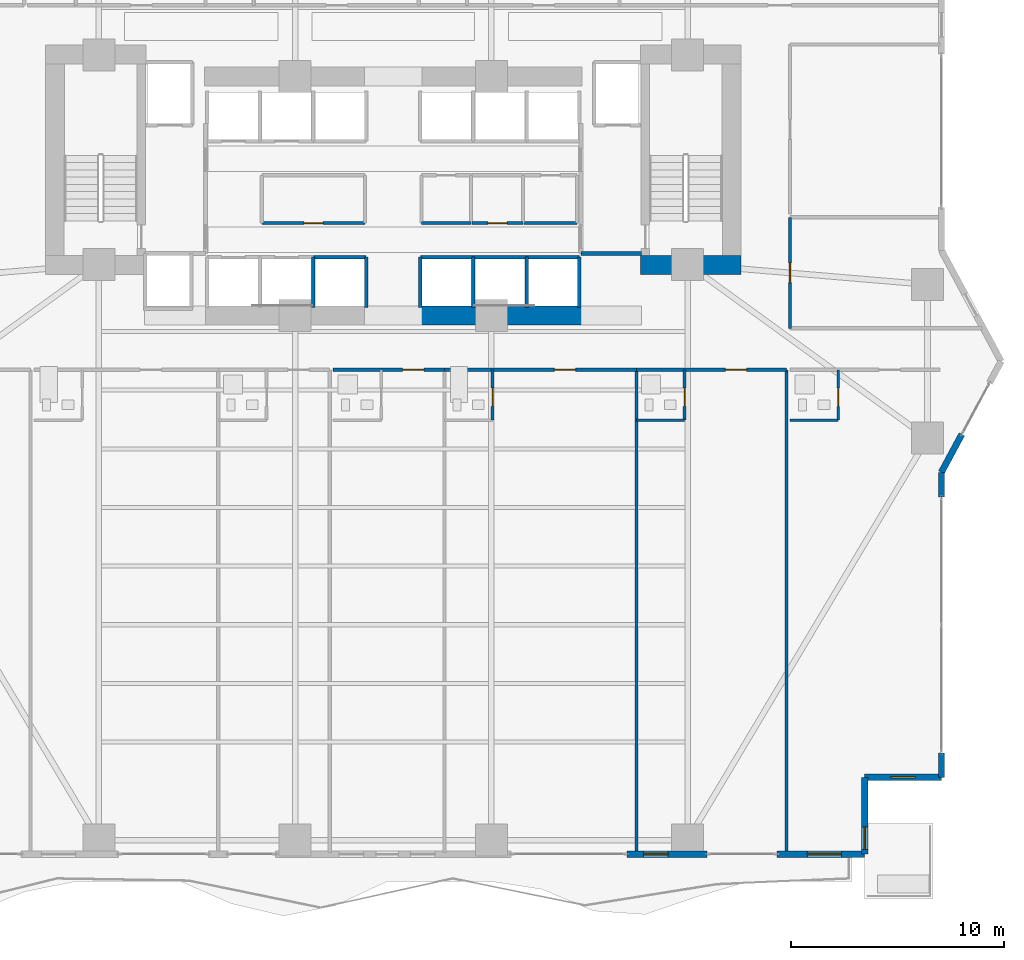
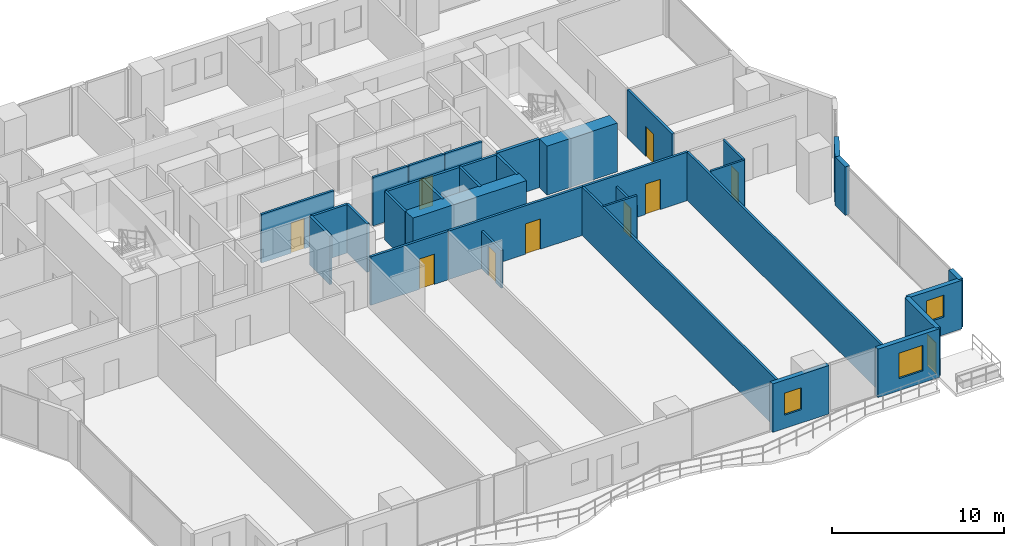
# One storey, part 19 of 29: 35 walls, 10 doors, 3 windows, 13 openings.
"""IFC4 building model written with IfcOpenShell, lengths in metres."""

from ifc_helpers import new_model, si_unit, direction, frame, frame_2d, origin, place, context, subcontext, project, spatial, rectangle, extrude, material, layer, layer_set, type_object, element, fill, save


model = new_model("IFC4")

# Units and contexts
model_context = context("Model", 3, precision=1e-05, world=origin(), true_north=direction((0.0, 1.0)))
body_context = subcontext(model_context, "Body", "Model", "MODEL_VIEW")
ifc_project = project(units=[si_unit("LENGTHUNIT", "METRE"), si_unit("AREAUNIT", "SQUARE_METRE"), si_unit("VOLUMEUNIT", "CUBIC_METRE"), si_unit("PLANEANGLEUNIT", "RADIAN"), si_unit("MASSUNIT", "GRAM", prefix="KILO")], contexts=[model_context])

# Site, building, storey
site_placement = place(None, origin())
site = spatial("IfcSite", under=ifc_project, at=site_placement, CompositionType="ELEMENT")
building_placement = place(site_placement, origin())
building = spatial("IfcBuilding", under=site, at=building_placement, Name="Zuhayl Quay Hotel", CompositionType="ELEMENT")
storey_placement = place(building_placement, frame((0.0, 0.0, 38.550048828125)))
storey = spatial("IfcBuildingStorey", under=building, at=storey_placement, Name="L08", CompositionType="ELEMENT", Elevation=38.550048828125)

# Walls
ifc_material_1 = material(Name="Concrete C70/85", Category="concrete")
ifc_layer_1 = layer(ifc_material_1, 0.89990234375, Name="Concrete C70/85", Category="concrete")
ifc_layer_set_1 = layer_set([ifc_layer_1], Name="Concrete C70/85")
wall_type_1 = type_object("IfcWallType", Name="WL_CORE_900", PredefinedType="SHEAR", material=ifc_layer_set_1)
wall_1_placement = place(storey_placement, frame((11.60009765625, 4.52001953125, 0.0), z_axis=(0.0, 0.0, 1.0), x_axis=(1.0, 0.0, 0.0)))
element("IfcWall", 1, at=wall_1_placement, inside=storey, type_object=wall_type_1, Name="L08 Core Shear Wall CW_SE", PredefinedType="SHEAR", context=body_context, shape_type="SweptSolid", body=[
    extrude(rectangle(XDim=4.7099609375, YDim=0.89990234375, at=frame_2d((2.35498046875, 0.0))), origin(), (0.0, 0.0, 1.0), 3.4599609375),
])
wall_2_placement = place(storey_placement, frame((1.25, 2.14990234375, 0.0), z_axis=(0.0, 0.0, 1.0), x_axis=(1.0, 0.0, 0.0)))
element("IfcWall", 2, at=wall_2_placement, inside=storey, type_object=wall_type_1, Name="L08 Core Shear Wall CW_SC_E", PredefinedType="SHEAR", context=body_context, shape_type="SweptSolid", body=[
    extrude(rectangle(XDim=7.60009765625, YDim=0.89990234375, at=frame_2d((3.800048828125, 0.0))), origin(), (0.0, 0.0, 1.0), 3.429931640625),
])
ifc_material_2 = material(Name="Precast concrete C45/55", Category="concrete")
ifc_layer_2 = layer(ifc_material_2, 0.300048828125, Name="Precast concrete C45/55", Category="concrete")
ifc_layer_set_2 = layer_set([ifc_layer_2], Name="Precast concrete C45/55")
wall_type_2 = type_object("IfcWallType", Name="WL_EXT_300", PredefinedType="STANDARD", material=ifc_layer_set_2)
wall_3_placement = place(storey_placement, frame((26.657958984375, -3.4208984375, 0.0), z_axis=(0.0, 0.0, 1.0), x_axis=(-0.474121438562, -0.88045946045, 0.0)))
element("IfcWall", 3, at=wall_3_placement, inside=storey, type_object=wall_type_2, Name="L08 Exterior Precast Wall ENV_L08_E13_EW2", PredefinedType="STANDARD", context=body_context, shape_type="SweptSolid", body=[
    extrude(rectangle(XDim=2.0205078125, YDim=0.300048828125, at=frame_2d((1.01025390625, 0.0))), origin(), (0.0, 0.0, 1.0), 3.429931640625),
])
wall_4_placement = place(storey_placement, frame((25.699951171875, -5.199951171875, 0.0), z_axis=(0.0, 0.0, 1.0), x_axis=(0.0, -1.0, 0.0)))
element("IfcWall", 4, at=wall_4_placement, inside=storey, type_object=wall_type_2, Name="L08 Exterior Precast Wall ENV_L08_E14_EW1", PredefinedType="STANDARD", context=body_context, shape_type="SweptSolid", body=[
    extrude(rectangle(XDim=1.150146484375, YDim=0.300048828125, at=frame_2d((0.5751953125, 0.0))), origin(), (0.0, 0.0, 1.0), 3.429931640625),
])
wall_5_placement = place(storey_placement, frame((25.699951171875, -18.35009765625, 0.0), z_axis=(0.0, 0.0, 1.0), x_axis=(0.0, -1.0, 0.0)))
element("IfcWall", 5, at=wall_5_placement, inside=storey, type_object=wall_type_2, Name="L08 Exterior Precast Wall ENV_L08_E14_EW2", PredefinedType="STANDARD", context=body_context, shape_type="SweptSolid", body=[
    extrude(rectangle(XDim=1.14990234375, YDim=0.300048828125, at=frame_2d((0.574951171875, 0.0))), origin(), (0.0, 0.0, 1.0), 3.429931640625),
])

# Wall, opening, window
wall_6_placement = place(storey_placement, frame((25.699951171875, -19.5, 0.0), z_axis=(0.0, 0.0, 1.0), x_axis=(-1.0, 0.0, 0.0)))
wall_6 = element("IfcWall", 6, at=wall_6_placement, inside=storey, type_object=wall_type_2, Name="L08 Exterior Precast Wall ENV_L08_EW15", PredefinedType="STANDARD", context=body_context, shape_type="SweptSolid", body=[
    extrude(rectangle(XDim=3.599853515625, YDim=0.300048828125, at=frame_2d((1.7998046875, 0.0))), origin(), (0.0, 0.0, 1.0), 3.429931640625),
])
opening_1_placement = place(wall_6_placement, frame((1.22509765625, 0.0, 1.25)))
opening_1 = element("IfcOpeningElement", 7, at=opening_1_placement, cuts=wall_6, Name="Opening W01N", PredefinedType="OPENING", context=body_context, shape_type="SweptSolid", body=[
    extrude(rectangle(XDim=1.14990234375, YDim=1.550048828125, at=frame_2d((0.574951171875, 0.77490234375))), frame((0.0, 0.159912109375, 0.0), z_axis=(0.0, -1.0, 0.0), x_axis=(1.0, 0.0, 0.0)), (0.0, 0.0, 1.0), 0.320068359375),
])
ifc_material_3 = material(Name="Dark Ceramic-Fritted Solar Glass", Category="glass")
window_type_1 = type_object("IfcWindowType", Name="WN_NOTCH_1350", PartitioningType="SINGLE_PANEL", PredefinedType="WINDOW", material=ifc_material_3)
window_1_placement = place(opening_1_placement, origin())
window_1 = element("IfcWindow", 8, at=window_1_placement, inside=storey, type_object=window_type_1, Name="L08 Corner Notch Window 15", OverallHeight=1.550048828125, OverallWidth=1.14990234375, PartitioningType="SINGLE_PANEL", PredefinedType="WINDOW", context=body_context, shape_type="SweptSolid", body=[
    extrude(rectangle(XDim=1.14990234375, YDim=1.550048828125, at=frame_2d((0.574951171875, 0.77490234375))), frame((0.0, 0.030029296875, 0.0), z_axis=(0.0, -1.0, 0.0), x_axis=(1.0, 0.0, 0.0)), (0.0, 0.0, 1.0), 0.06005859375),
])
fill(opening_1, window_1)

# Wall, opening, door
wall_7_placement = place(storey_placement, frame((22.10009765625, -19.5, 0.0), z_axis=(0.0, 0.0, 1.0), x_axis=(0.0, -1.0, 0.0)))
wall_7 = element("IfcWall", 9, at=wall_7_placement, inside=storey, type_object=wall_type_2, Name="L08 Exterior Precast Wall ENV_L08_SP_SE", PredefinedType="STANDARD", context=body_context, shape_type="SweptSolid", body=[
    extrude(rectangle(XDim=3.60009765625, YDim=0.300048828125, at=frame_2d((1.800048828125, 0.0))), origin(), (0.0, 0.0, 1.0), 3.429931640625),
])
opening_2_placement = place(wall_7_placement, frame((2.330078125, 0.0, 0.0)))
opening_2 = element("IfcOpeningElement", 10, at=opening_2_placement, cuts=wall_7, Name="Opening DG1", PredefinedType="OPENING", context=body_context, shape_type="SweptSolid", body=[
    extrude(rectangle(XDim=1.050048828125, YDim=2.199951171875, at=frame_2d((0.52490234375, 1.10009765625))), frame((0.0, 0.159912109375, 0.0), z_axis=(0.0, -1.0, 0.0), x_axis=(1.0, 0.0, 0.0)), (0.0, 0.0, 1.0), 0.320068359375),
])
ifc_material_4 = material(Name="Anodised Aluminium and Dark Solar Glass", Category="aluminium")
door_type_1 = type_object("IfcDoorType", Name="DR_EXT_TERR_1050", OperationType="NOTDEFINED", PredefinedType="DOOR", material=ifc_material_4)
door_1_placement = place(opening_2_placement, origin())
door_1 = element("IfcDoor", 11, at=door_1_placement, inside=storey, type_object=door_type_1, Name="L08 Spiral Sky-Terrace SE Access Door", OperationType="SINGLE_SWING_LEFT", OverallHeight=2.199951171875, OverallWidth=1.050048828125, PredefinedType="DOOR", context=body_context, shape_type="SweptSolid", body=[
    extrude(rectangle(XDim=1.050048828125, YDim=2.199951171875, at=frame_2d((0.52490234375, 1.10009765625))), frame((0.0, 0.02490234375, 0.0), z_axis=(0.0, -1.0, 0.0), x_axis=(1.0, 0.0, 0.0)), (0.0, 0.0, 1.0), 0.050048828125),
])
fill(opening_2, door_1)

# Wall, opening, window
wall_8_placement = place(storey_placement, frame((22.10009765625, -23.10009765625, 0.0), z_axis=(0.0, 0.0, 1.0), x_axis=(-1.0, 0.0, 0.0)))
wall_8 = element("IfcWall", 12, at=wall_8_placement, inside=storey, type_object=wall_type_2, Name="L08 Exterior Precast Wall ENV_L08_S_EW1", PredefinedType="STANDARD", context=body_context, shape_type="SweptSolid", body=[
    extrude(rectangle(XDim=4.110107421875, YDim=0.300048828125, at=frame_2d((2.05517578125, 0.0))), origin(), (0.0, 0.0, 1.0), 3.429931640625),
])
opening_3_placement = place(wall_8_placement, frame((1.090087890625, 0.0, 0.85009765625)))
opening_3 = element("IfcOpeningElement", 13, at=opening_3_placement, cuts=wall_8, Name="Opening W01", PredefinedType="OPENING", context=body_context, shape_type="SweptSolid", body=[
    extrude(rectangle(XDim=1.60009765625, YDim=1.800048828125, at=frame_2d((0.800048828125, 0.89990234375))), frame((0.0, 0.159912109375, 0.0), z_axis=(0.0, -1.0, 0.0), x_axis=(1.0, 0.0, 0.0)), (0.0, 0.0, 1.0), 0.320068359375),
])
window_type_2 = type_object("IfcWindowType", Name="WN_OPERABLE_1600", PartitioningType="DOUBLE_PANEL_VERTICAL", PredefinedType="WINDOW", material=ifc_material_3)
window_2_placement = place(opening_3_placement, origin())
window_2 = element("IfcWindow", 14, at=window_2_placement, inside=storey, type_object=window_type_2, Name="L08 Operable Facade Window 1-1", OverallHeight=1.800048828125, OverallWidth=1.60009765625, PartitioningType="SINGLE_PANEL", PredefinedType="WINDOW", context=body_context, shape_type="SweptSolid", body=[
    extrude(rectangle(XDim=1.60009765625, YDim=1.800048828125, at=frame_2d((0.800048828125, 0.89990234375))), frame((0.0, 0.030029296875, 0.0), z_axis=(0.0, -1.0, 0.0), x_axis=(1.0, 0.0, 0.0)), (0.0, 0.0, 1.0), 0.06005859375),
])
fill(opening_3, window_2)

wall_9_placement = place(storey_placement, frame((14.719970703125, -23.10009765625, 0.0), z_axis=(0.0, 0.0, 1.0), x_axis=(-1.0, 0.0, 0.0)))
wall_9 = element("IfcWall", 15, at=wall_9_placement, inside=storey, type_object=wall_type_2, Name="L08 Exterior Precast Wall ENV_L08_S_EW2", PredefinedType="STANDARD", context=body_context, shape_type="SweptSolid", body=[
    extrude(rectangle(XDim=3.77001953125, YDim=0.300048828125, at=frame_2d((1.885009765625, 0.0))), origin(), (0.0, 0.0, 1.0), 3.429931640625),
])
opening_4_placement = place(wall_9_placement, frame((1.8349609375, 0.0, 0.949951171875)))
opening_4 = element("IfcOpeningElement", 16, at=opening_4_placement, cuts=wall_9, Name="Opening W01N", PredefinedType="OPENING", context=body_context, shape_type="SweptSolid", body=[
    extrude(rectangle(XDim=1.14990234375, YDim=1.550048828125, at=frame_2d((0.574951171875, 0.77490234375))), frame((0.0, 0.159912109375, 0.0), z_axis=(0.0, -1.0, 0.0), x_axis=(1.0, 0.0, 0.0)), (0.0, 0.0, 1.0), 0.320068359375),
])
window_3_placement = place(opening_4_placement, origin())
window_3 = element("IfcWindow", 17, at=window_3_placement, inside=storey, type_object=window_type_1, Name="L08 Operable Facade Window 2-1", OverallHeight=1.550048828125, OverallWidth=1.14990234375, PartitioningType="SINGLE_PANEL", PredefinedType="WINDOW", context=body_context, shape_type="SweptSolid", body=[
    extrude(rectangle(XDim=1.14990234375, YDim=1.550048828125, at=frame_2d((0.574951171875, 0.77490234375))), frame((0.0, 0.030029296875, 0.0), z_axis=(0.0, -1.0, 0.0), x_axis=(1.0, 0.0, 0.0)), (0.0, 0.0, 1.0), 0.06005859375),
])
fill(opening_4, window_3)

# Wall, opening, door
ifc_material_5 = material(Name="Acoustic Gypsum Partition STC-58")
ifc_layer_3 = layer(ifc_material_5, 0.14990234375, Name="Acoustic Gypsum Partition STC-58")
ifc_layer_set_3 = layer_set([ifc_layer_3], Name="Acoustic Gypsum Partition STC-58")
wall_type_3 = type_object("IfcWallType", Name="WL_PART_150", PredefinedType="PARTITIONING", material=ifc_layer_set_3)
wall_10_placement = place(storey_placement, frame((-6.159912109375, 6.47998046875, 0.0), z_axis=(0.0, 0.0, 1.0), x_axis=(1.0, 0.0, 0.0)))
wall_10 = element("IfcWall", 18, at=wall_10_placement, inside=storey, type_object=wall_type_3, Name="L08 Partition IW_L08_CORE_SV_S", PredefinedType="PARTITIONING", context=body_context, shape_type="SweptSolid", body=[
    extrude(rectangle(XDim=4.83984375, YDim=0.14990234375, at=frame_2d((2.419921875, 0.0))), origin(), (0.0, 0.0, 1.0), 3.429931640625),
])
opening_5_placement = place(wall_10_placement, frame((1.969970703125, 0.0, 0.0)))
opening_5 = element("IfcOpeningElement", 19, at=opening_5_placement, cuts=wall_10, Name="Opening D06", PredefinedType="OPENING", context=body_context, shape_type="SweptSolid", body=[
    extrude(rectangle(XDim=0.89990234375, YDim=2.14990234375, at=frame_2d((0.449951171875, 1.074951171875))), frame((0.0, 0.0849609375, 0.0), z_axis=(0.0, -1.0, 0.0), x_axis=(1.0, 0.0, 0.0)), (0.0, 0.0, 1.0), 0.169921875),
])
ifc_material_6 = material(Name="Steel ASTM A992 Grade 50", Category="steel")
door_type_2 = type_object("IfcDoorType", Name="DR_INT_900", OperationType="NOTDEFINED", PredefinedType="DOOR", material=ifc_material_6)
door_2_placement = place(opening_5_placement, origin())
door_2 = element("IfcDoor", 20, at=door_2_placement, inside=storey, type_object=door_type_2, Name="L08 Core Ice and Linen Store Door", OperationType="SINGLE_SWING_RIGHT", OverallHeight=2.14990234375, OverallWidth=0.89990234375, PredefinedType="DOOR", context=body_context, shape_type="SweptSolid", body=[
    extrude(rectangle(XDim=0.89990234375, YDim=2.14990234375, at=frame_2d((0.449951171875, 1.074951171875))), frame((0.0, 0.02490234375, 0.0), z_axis=(0.0, -1.0, 0.0), x_axis=(1.0, 0.0, 0.0)), (0.0, 0.0, 1.0), 0.050048828125),
])
fill(opening_5, door_2)

wall_11_placement = place(storey_placement, frame((3.699951171875, 6.47998046875, 0.0), z_axis=(0.0, 0.0, 1.0), x_axis=(1.0, 0.0, 0.0)))
wall_11 = element("IfcWall", 21, at=wall_11_placement, inside=storey, type_object=wall_type_3, Name="L08 Partition IW_L08_CORE_E2_S", PredefinedType="PARTITIONING", context=body_context, shape_type="SweptSolid", body=[
    extrude(rectangle(XDim=2.380126953125, YDim=0.14990234375, at=frame_2d((1.18994140625, 0.0))), origin(), (0.0, 0.0, 1.0), 3.429931640625),
])
opening_6_placement = place(wall_11_placement, frame((0.739990234375, 0.0, 0.0)))
opening_6 = element("IfcOpeningElement", 22, at=opening_6_placement, cuts=wall_11, Name="Opening D06", PredefinedType="OPENING", context=body_context, shape_type="SweptSolid", body=[
    extrude(rectangle(XDim=0.89990234375, YDim=2.14990234375, at=frame_2d((0.449951171875, 1.074951171875))), frame((0.0, 0.0849609375, 0.0), z_axis=(0.0, -1.0, 0.0), x_axis=(1.0, 0.0, 0.0)), (0.0, 0.0, 1.0), 0.169921875),
])
door_3_placement = place(opening_6_placement, origin())
door_3 = element("IfcDoor", 23, at=door_3_placement, inside=storey, type_object=door_type_2, Name="L08 Data Closet Door", OperationType="SINGLE_SWING_RIGHT", OverallHeight=2.14990234375, OverallWidth=0.89990234375, PredefinedType="DOOR", context=body_context, shape_type="SweptSolid", body=[
    extrude(rectangle(XDim=0.89990234375, YDim=2.14990234375, at=frame_2d((0.449951171875, 1.074951171875))), frame((0.0, 0.02490234375, 0.0), z_axis=(0.0, -1.0, 0.0), x_axis=(1.0, 0.0, 0.0)), (0.0, 0.0, 1.0), 0.050048828125),
])
fill(opening_6, door_3)

# Walls
wall_12_placement = place(storey_placement, frame((1.320068359375, 6.47998046875, 0.0), z_axis=(0.0, 0.0, 1.0), x_axis=(1.0, 0.0, 0.0)))
element("IfcWall", 24, at=wall_12_placement, inside=storey, type_object=wall_type_3, Name="L08 Partition IW_L08_CORE_E1_S", PredefinedType="PARTITIONING", context=body_context, shape_type="SweptSolid", body=[
    extrude(rectangle(XDim=2.31982421875, YDim=0.14990234375, at=frame_2d((1.159912109375, 0.0))), origin(), (0.0, 0.0, 1.0), 3.429931640625),
])
wall_13_placement = place(storey_placement, frame((6.139892578125, 6.47998046875, 0.0), z_axis=(0.0, 0.0, 1.0), x_axis=(1.0, 0.0, 0.0)))
element("IfcWall", 25, at=wall_13_placement, inside=storey, type_object=wall_type_3, Name="L08 Partition IW_L08_CORE_E3_S", PredefinedType="PARTITIONING", context=body_context, shape_type="SweptSolid", body=[
    extrude(rectangle(XDim=2.47021484375, YDim=0.14990234375, at=frame_2d((1.235107421875, 0.0))), origin(), (0.0, 0.0, 1.0), 3.429931640625),
])
for number, where, z_axis, x_axis, name in (
    (26, (11.39990234375, -23.02001953125, 0.0), (0.0, 0.0, 1.0), (0.0, 1.0, 0.0), "L08 Partition IW_L08_SU03_E"),
    (27, (18.43994140625, -23.02001953125, 0.0), (0.0, 0.0, 1.0), (0.0, 1.0, 0.0), "L08 Partition IW_L08_SU04A_E"),
):
    element("IfcWall", number, at=place(storey_placement, frame(where, z_axis=z_axis, x_axis=x_axis)), inside=storey, type_object=wall_type_3, Name=name, PredefinedType="PARTITIONING", context=body_context, shape_type="SweptSolid", body=[
        extrude(rectangle(XDim=22.6201171875, YDim=0.14990234375, at=frame_2d((11.31005859375, 0.0))), origin(), (0.0, 0.0, 1.0), 3.429931640625),
    ])

# Wall, opening, door
ifc_layer_4 = layer(ifc_material_5, 0.159912109375, Name="Acoustic Gypsum Partition STC-58")
ifc_layer_set_4 = layer_set([ifc_layer_4], Name="Acoustic Gypsum Partition STC-58")
wall_type_4 = type_object("IfcWallType", Name="WL_PART_CORR_160", PredefinedType="PARTITIONING", material=ifc_layer_set_4)
wall_14_placement = place(storey_placement, frame((-2.820068359375, -0.39990234375, 0.0), z_axis=(0.0, 0.0, 1.0), x_axis=(1.0, 0.0, 0.0)))
wall_14 = element("IfcWall", 28, at=wall_14_placement, inside=storey, type_object=wall_type_4, Name="L08 Partition IW_L08_SU02B_COR", PredefinedType="PARTITIONING", context=body_context, shape_type="SweptSolid", body=[
    extrude(rectangle(XDim=5.219970703125, YDim=0.159912109375, at=frame_2d((2.60986328125, 0.0))), origin(), (0.0, 0.0, 1.0), 3.429931640625),
])
opening_7_placement = place(wall_14_placement, frame((3.260009765625, 0.0, 0.0)))
opening_7 = element("IfcOpeningElement", 29, at=opening_7_placement, cuts=wall_14, Name="Opening D03L", PredefinedType="OPENING", context=body_context, shape_type="SweptSolid", body=[
    extrude(rectangle(XDim=1.0, YDim=2.14990234375, at=frame_2d((0.5, 1.074951171875))), frame((0.0, 0.08984375, 0.0), z_axis=(0.0, -1.0, 0.0), x_axis=(1.0, 0.0, 0.0)), (0.0, 0.0, 1.0), 0.179931640625),
])
ifc_material_7 = material(Name="Solid Walnut Acoustic Fire Door")
door_type_3 = type_object("IfcDoorType", Name="DR_SUITE_1000", OperationType="NOTDEFINED", PredefinedType="DOOR", material=ifc_material_7)
door_4_placement = place(opening_7_placement, origin())
door_4 = element("IfcDoor", 30, at=door_4_placement, inside=storey, type_object=door_type_3, Name="L08 City-View Junior Suite L08-02B Entrance Door", OperationType="SINGLE_SWING_RIGHT", OverallHeight=2.14990234375, OverallWidth=1.0, PredefinedType="DOOR", context=body_context, shape_type="SweptSolid", body=[
    extrude(rectangle(XDim=1.0, YDim=2.14990234375, at=frame_2d((0.5, 1.074951171875))), frame((0.0, 0.02490234375, 0.0), z_axis=(0.0, -1.0, 0.0), x_axis=(1.0, 0.0, 0.0)), (0.0, 0.0, 1.0), 0.050048828125),
])
fill(opening_7, door_4)

wall_15_placement = place(storey_placement, frame((2.39990234375, -0.39990234375, 0.0), z_axis=(0.0, 0.0, 1.0), x_axis=(1.0, 0.0, 0.0)))
wall_15 = element("IfcWall", 31, at=wall_15_placement, inside=storey, type_object=wall_type_4, Name="L08 Partition IW_L08_SU03_COR", PredefinedType="PARTITIONING", context=body_context, shape_type="SweptSolid", body=[
    extrude(rectangle(XDim=9.0, YDim=0.159912109375, at=frame_2d((4.5, 0.0))), origin(), (0.0, 0.0, 1.0), 3.429931640625),
])
opening_8_placement = place(wall_15_placement, frame((5.14990234375, 0.0, 0.0)))
opening_8 = element("IfcOpeningElement", 32, at=opening_8_placement, cuts=wall_15, Name="Opening D03L", PredefinedType="OPENING", context=body_context, shape_type="SweptSolid", body=[
    extrude(rectangle(XDim=1.0, YDim=2.14990234375, at=frame_2d((0.5, 1.074951171875))), frame((0.0, 0.08984375, 0.0), z_axis=(0.0, -1.0, 0.0), x_axis=(1.0, 0.0, 0.0)), (0.0, 0.0, 1.0), 0.179931640625),
])
door_5_placement = place(opening_8_placement, origin())
door_5 = element("IfcDoor", 33, at=door_5_placement, inside=storey, type_object=door_type_3, Name="L08 City-View Junior Suite L08-03 Entrance Door", OperationType="SINGLE_SWING_RIGHT", OverallHeight=2.14990234375, OverallWidth=1.0, PredefinedType="DOOR", context=body_context, shape_type="SweptSolid", body=[
    extrude(rectangle(XDim=1.0, YDim=2.14990234375, at=frame_2d((0.5, 1.074951171875))), frame((0.0, 0.02490234375, 0.0), z_axis=(0.0, -1.0, 0.0), x_axis=(1.0, 0.0, 0.0)), (0.0, 0.0, 1.0), 0.050048828125),
])
fill(opening_8, door_5)

wall_16_placement = place(storey_placement, frame((11.39990234375, -0.39990234375, 0.0), z_axis=(0.0, 0.0, 1.0), x_axis=(1.0, 0.0, 0.0)))
wall_16 = element("IfcWall", 34, at=wall_16_placement, inside=storey, type_object=wall_type_4, Name="L08 Partition IW_L08_SU04A_COR", PredefinedType="PARTITIONING", context=body_context, shape_type="SweptSolid", body=[
    extrude(rectangle(XDim=7.0400390625, YDim=0.159912109375, at=frame_2d((3.52001953125, 0.0))), origin(), (0.0, 0.0, 1.0), 3.429931640625),
])
opening_9_placement = place(wall_16_placement, frame((4.169921875, 0.0, 0.0)))
opening_9 = element("IfcOpeningElement", 35, at=opening_9_placement, cuts=wall_16, Name="Opening D03L", PredefinedType="OPENING", context=body_context, shape_type="SweptSolid", body=[
    extrude(rectangle(XDim=1.0, YDim=2.14990234375, at=frame_2d((0.5, 1.074951171875))), frame((0.0, 0.08984375, 0.0), z_axis=(0.0, -1.0, 0.0), x_axis=(1.0, 0.0, 0.0)), (0.0, 0.0, 1.0), 0.179931640625),
])
door_6_placement = place(opening_9_placement, origin())
door_6 = element("IfcDoor", 36, at=door_6_placement, inside=storey, type_object=door_type_3, Name="L08 City-View Junior Suite L08-04A Entrance Door", OperationType="SINGLE_SWING_RIGHT", OverallHeight=2.14990234375, OverallWidth=1.0, PredefinedType="DOOR", context=body_context, shape_type="SweptSolid", body=[
    extrude(rectangle(XDim=1.0, YDim=2.14990234375, at=frame_2d((0.5, 1.074951171875))), frame((0.0, 0.02490234375, 0.0), z_axis=(0.0, -1.0, 0.0), x_axis=(1.0, 0.0, 0.0)), (0.0, 0.0, 1.0), 0.050048828125),
])
fill(opening_9, door_6)

wall_17_placement = place(storey_placement, frame((18.60009765625, 1.550048828125, 0.0), z_axis=(0.0, 0.0, 1.0), x_axis=(0.0, 1.0, 0.0)))
wall_17 = element("IfcWall", 37, at=wall_17_placement, inside=storey, type_object=wall_type_4, Name="L08 Partition IW_L08_HK_MAIN_W", PredefinedType="PARTITIONING", context=body_context, shape_type="SweptSolid", body=[
    extrude(rectangle(XDim=5.199951171875, YDim=0.159912109375, at=frame_2d((2.60009765625, 0.0))), origin(), (0.0, 0.0, 1.0), 3.429931640625),
])
opening_10_placement = place(wall_17_placement, frame((2.139892578125, 0.0, 0.0)))
opening_10 = element("IfcOpeningElement", 38, at=opening_10_placement, cuts=wall_17, Name="Opening D05", PredefinedType="OPENING", context=body_context, shape_type="SweptSolid", body=[
    extrude(rectangle(XDim=0.919921875, YDim=2.1201171875, at=frame_2d((0.4599609375, 1.06005859375))), frame((0.0, 0.08984375, 0.0), z_axis=(0.0, -1.0, 0.0), x_axis=(1.0, 0.0, 0.0)), (0.0, 0.0, 1.0), 0.179931640625),
])
door_type_4 = type_object("IfcDoorType", Name="DR_INT_950", OperationType="NOTDEFINED", PredefinedType="DOOR", material=ifc_material_7)
door_7_placement = place(opening_10_placement, origin())
door_7 = element("IfcDoor", 39, at=door_7_placement, inside=storey, type_object=door_type_4, Name="L08 Housekeeping and Linen Room Door", OperationType="SINGLE_SWING_LEFT", OverallHeight=2.1201171875, OverallWidth=0.919921875, PredefinedType="DOOR", context=body_context, shape_type="SweptSolid", body=[
    extrude(rectangle(XDim=0.919921875, YDim=2.1201171875, at=frame_2d((0.4599609375, 1.06005859375))), frame((0.0, 0.02490234375, 0.0), z_axis=(0.0, -1.0, 0.0), x_axis=(1.0, 0.0, 0.0)), (0.0, 0.0, 1.0), 0.050048828125),
])
fill(opening_10, door_7)

ifc_material_8 = material(Name="Moisture-Resistant Sanitarychase Gypsum")
ifc_layer_5 = layer(ifc_material_8, 0.135009765625, Name="Moisture-Resistant Sanitarychase Gypsum")
ifc_layer_set_5 = layer_set([ifc_layer_5], Name="Moisture-Resistant Sanitarychase Gypsum")
wall_type_5 = type_object("IfcWallType", Name="WL_PART_PLUMB_150", PredefinedType="PLUMBINGWALL", material=ifc_layer_set_5)
wall_18_placement = place(storey_placement, frame((4.659912109375, -2.760009765625, 0.0), z_axis=(0.0, 0.0, 1.0), x_axis=(0.0, 1.0, 0.0)))
wall_18 = element("IfcWall", 40, at=wall_18_placement, inside=storey, type_object=wall_type_5, Name="L08 Partition IW_L08_SU03_BE", PredefinedType="PLUMBINGWALL", context=body_context, shape_type="SweptSolid", body=[
    extrude(rectangle(XDim=2.360107421875, YDim=0.135009765625, at=frame_2d((1.18017578125, 0.0))), origin(), (0.0, 0.0, 1.0), 2.66796875),
])
opening_11_placement = place(wall_18_placement, frame((0.64990234375, 0.0, 0.0)))
opening_11 = element("IfcOpeningElement", 41, at=opening_11_placement, cuts=wall_18, Name="Opening D04", PredefinedType="OPENING", context=body_context, shape_type="SweptSolid", body=[
    extrude(rectangle(XDim=0.85009765625, YDim=2.10009765625, at=frame_2d((0.425048828125, 1.050048828125))), frame((0.0, 0.077392578125, 0.0), z_axis=(0.0, -1.0, 0.0), x_axis=(1.0, 0.0, 0.0)), (0.0, 0.0, 1.0), 0.155029296875),
])
ifc_material_9 = material(Name="Moisture-Resistant Walnut Veneer")
door_type_5 = type_object("IfcDoorType", Name="DR_BATH_850", OperationType="NOTDEFINED", PredefinedType="DOOR", material=ifc_material_9)
door_8_placement = place(opening_11_placement, origin())
door_8 = element("IfcDoor", 42, at=door_8_placement, inside=storey, type_object=door_type_5, Name="L08 City-View Junior Suite L08-03 En-Suite Door", OperationType="SINGLE_SWING_LEFT", OverallHeight=2.10009765625, OverallWidth=0.85009765625, PredefinedType="DOOR", context=body_context, shape_type="SweptSolid", body=[
    extrude(rectangle(XDim=0.85009765625, YDim=2.10009765625, at=frame_2d((0.425048828125, 1.050048828125))), frame((0.0, 0.02490234375, 0.0), z_axis=(0.0, -1.0, 0.0), x_axis=(1.0, 0.0, 0.0)), (0.0, 0.0, 1.0), 0.050048828125),
])
fill(opening_11, door_8)

wall_19_placement = place(storey_placement, frame((13.659912109375, -2.760009765625, 0.0), z_axis=(0.0, 0.0, 1.0), x_axis=(0.0, 1.0, 0.0)))
wall_19 = element("IfcWall", 43, at=wall_19_placement, inside=storey, type_object=wall_type_5, Name="L08 Partition IW_L08_SU04A_BE", PredefinedType="PLUMBINGWALL", context=body_context, shape_type="SweptSolid", body=[
    extrude(rectangle(XDim=2.360107421875, YDim=0.135009765625, at=frame_2d((1.18017578125, 0.0))), origin(), (0.0, 0.0, 1.0), 2.66796875),
])
opening_12_placement = place(wall_19_placement, frame((0.64990234375, 0.0, 0.0)))
opening_12 = element("IfcOpeningElement", 44, at=opening_12_placement, cuts=wall_19, Name="Opening D04", PredefinedType="OPENING", context=body_context, shape_type="SweptSolid", body=[
    extrude(rectangle(XDim=0.85009765625, YDim=2.10009765625, at=frame_2d((0.425048828125, 1.050048828125))), frame((0.0, 0.077392578125, 0.0), z_axis=(0.0, -1.0, 0.0), x_axis=(1.0, 0.0, 0.0)), (0.0, 0.0, 1.0), 0.155029296875),
])
door_9_placement = place(opening_12_placement, origin())
door_9 = element("IfcDoor", 45, at=door_9_placement, inside=storey, type_object=door_type_5, Name="L08 City-View Junior Suite L08-04A En-Suite Door", OperationType="SINGLE_SWING_LEFT", OverallHeight=2.10009765625, OverallWidth=0.85009765625, PredefinedType="DOOR", context=body_context, shape_type="SweptSolid", body=[
    extrude(rectangle(XDim=0.85009765625, YDim=2.10009765625, at=frame_2d((0.425048828125, 1.050048828125))), frame((0.0, 0.02490234375, 0.0), z_axis=(0.0, -1.0, 0.0), x_axis=(1.0, 0.0, 0.0)), (0.0, 0.0, 1.0), 0.050048828125),
])
fill(opening_12, door_9)

wall_20_placement = place(storey_placement, frame((20.860107421875, -2.760009765625, 0.0), z_axis=(0.0, 0.0, 1.0), x_axis=(0.0, 1.0, 0.0)))
wall_20 = element("IfcWall", 46, at=wall_20_placement, inside=storey, type_object=wall_type_5, Name="L08 Partition IW_L08_SU04B_BE", PredefinedType="PLUMBINGWALL", context=body_context, shape_type="SweptSolid", body=[
    extrude(rectangle(XDim=2.360107421875, YDim=0.135009765625, at=frame_2d((1.18017578125, 0.0))), origin(), (0.0, 0.0, 1.0), 3.429931640625),
])
opening_13_placement = place(wall_20_placement, frame((0.64990234375, 0.0, 0.0)))
opening_13 = element("IfcOpeningElement", 47, at=opening_13_placement, cuts=wall_20, Name="Opening D04", PredefinedType="OPENING", context=body_context, shape_type="SweptSolid", body=[
    extrude(rectangle(XDim=0.85009765625, YDim=2.10009765625, at=frame_2d((0.425048828125, 1.050048828125))), frame((0.0, 0.077392578125, 0.0), z_axis=(0.0, -1.0, 0.0), x_axis=(1.0, 0.0, 0.0)), (0.0, 0.0, 1.0), 0.155029296875),
])
door_10_placement = place(opening_13_placement, origin())
door_10 = element("IfcDoor", 48, at=door_10_placement, inside=storey, type_object=door_type_5, Name="L08 City-View Junior Suite L08-04B En-Suite Door", OperationType="SINGLE_SWING_LEFT", OverallHeight=2.10009765625, OverallWidth=0.85009765625, PredefinedType="DOOR", context=body_context, shape_type="SweptSolid", body=[
    extrude(rectangle(XDim=0.85009765625, YDim=2.10009765625, at=frame_2d((0.425048828125, 1.050048828125))), frame((0.0, 0.02490234375, 0.0), z_axis=(0.0, -1.0, 0.0), x_axis=(1.0, 0.0, 0.0)), (0.0, 0.0, 1.0), 0.050048828125),
])
fill(opening_13, door_10)

# Walls
for number, where, z_axis, x_axis, name in (
    (49, (11.39990234375, -2.760009765625, 0.0), (0.0, 0.0, 1.0), (1.0, 0.0, 0.0), "L08 Partition IW_L08_SU04A_BS"),
    (50, (18.60009765625, -2.760009765625, 0.0), (0.0, 0.0, 1.0), (1.0, 0.0, 0.0), "L08 Partition IW_L08_SU04B_BS"),
):
    element("IfcWall", number, at=place(storey_placement, frame(where, z_axis=z_axis, x_axis=x_axis)), inside=storey, type_object=wall_type_5, Name=name, PredefinedType="PLUMBINGWALL", context=body_context, shape_type="SweptSolid", body=[
        extrude(rectangle(XDim=2.260009765625, YDim=0.135009765625, at=frame_2d((1.1298828125, 0.0))), origin(), (0.0, 0.0, 1.0), 3.429931640625),
    ])
ifc_material_10 = material(Name="Gypsum Fireboard Assembly EI-90")
ifc_layer_6 = layer(ifc_material_10, 0.1650390625, Name="Gypsum Fireboard Assembly EI-90")
ifc_layer_set_6 = layer_set([ifc_layer_6], Name="Gypsum Fireboard Assembly EI-90")
wall_type_6 = type_object("IfcWallType", Name="WL_PART_SHAFT_160", PredefinedType="PARTITIONING", material=ifc_layer_set_6)
wall_21_placement = place(storey_placement, frame((-3.75, 2.52001953125, 0.0), z_axis=(0.0, 0.0, 1.0), x_axis=(0.0, 1.0, 0.0)))
element("IfcWall", 51, at=wall_21_placement, inside=storey, type_object=wall_type_6, Name="L08 Partition IW_L08_SH_LP2_E", PredefinedType="PARTITIONING", context=body_context, shape_type="SweptSolid", body=[
    extrude(rectangle(XDim=2.35986328125, YDim=0.1650390625, at=frame_2d((1.179931640625, 0.0))), origin(), (0.0, 0.0, 1.0), 3.429931640625),
])
wall_22_placement = place(storey_placement, frame((-3.75, 4.8798828125, 0.0), z_axis=(0.0, 0.0, 1.0), x_axis=(1.0, 0.0, 0.0)))
element("IfcWall", 52, at=wall_22_placement, inside=storey, type_object=wall_type_6, Name="L08 Partition IW_L08_SH_MP1_F", PredefinedType="PARTITIONING", context=body_context, shape_type="SweptSolid", body=[
    extrude(rectangle(XDim=2.47998046875, YDim=0.1650390625, at=frame_2d((1.239990234375, 0.0))), origin(), (0.0, 0.0, 1.0), 3.429931640625),
])
wall_23_placement = place(storey_placement, frame((-1.27001953125, 2.52001953125, 0.0), z_axis=(0.0, 0.0, 1.0), x_axis=(0.0, 1.0, 0.0)))
element("IfcWall", 53, at=wall_23_placement, inside=storey, type_object=wall_type_6, Name="L08 Partition IW_L08_SH_MP1_E", PredefinedType="PARTITIONING", context=body_context, shape_type="SweptSolid", body=[
    extrude(rectangle(XDim=2.35986328125, YDim=0.1650390625, at=frame_2d((1.179931640625, 0.0))), origin(), (0.0, 0.0, 1.0), 3.429931640625),
])
wall_24_placement = place(storey_placement, frame((1.27001953125, 4.8798828125, 0.0), z_axis=(0.0, 0.0, 1.0), x_axis=(1.0, 0.0, 0.0)))
element("IfcWall", 54, at=wall_24_placement, inside=storey, type_object=wall_type_6, Name="L08 Partition IW_L08_SH_MP2_F", PredefinedType="PARTITIONING", context=body_context, shape_type="SweptSolid", body=[
    extrude(rectangle(XDim=2.47998046875, YDim=0.1650390625, at=frame_2d((1.239990234375, 0.0))), origin(), (0.0, 0.0, 1.0), 3.429931640625),
])
for number, where, z_axis, x_axis, name in (
    (55, (1.27001953125, 2.52001953125, 0.0), (0.0, 0.0, 1.0), (0.0, 1.0, 0.0), "L08 Partition IW_L08_SH_MP2_W"),
    (56, (3.75, 2.52001953125, 0.0), (0.0, 0.0, 1.0), (0.0, 1.0, 0.0), "L08 Partition IW_L08_SH_MP2_E"),
):
    element("IfcWall", number, at=place(storey_placement, frame(where, z_axis=z_axis, x_axis=x_axis)), inside=storey, type_object=wall_type_6, Name=name, PredefinedType="PARTITIONING", context=body_context, shape_type="SweptSolid", body=[
        extrude(rectangle(XDim=2.35986328125, YDim=0.1650390625, at=frame_2d((1.179931640625, 0.0))), origin(), (0.0, 0.0, 1.0), 3.429931640625),
    ])
wall_25_placement = place(storey_placement, frame((3.75, 4.8798828125, 0.0), z_axis=(0.0, 0.0, 1.0), x_axis=(1.0, 0.0, 0.0)))
element("IfcWall", 57, at=wall_25_placement, inside=storey, type_object=wall_type_6, Name="L08 Partition IW_L08_SH_HP1_F", PredefinedType="PARTITIONING", context=body_context, shape_type="SweptSolid", body=[
    extrude(rectangle(XDim=2.5, YDim=0.1650390625, at=frame_2d((1.25, 0.0))), origin(), (0.0, 0.0, 1.0), 3.429931640625),
])
wall_26_placement = place(storey_placement, frame((6.25, 2.52001953125, 0.0), z_axis=(0.0, 0.0, 1.0), x_axis=(0.0, 1.0, 0.0)))
element("IfcWall", 58, at=wall_26_placement, inside=storey, type_object=wall_type_6, Name="L08 Partition IW_L08_SH_HP1_E", PredefinedType="PARTITIONING", context=body_context, shape_type="SweptSolid", body=[
    extrude(rectangle(XDim=2.35986328125, YDim=0.1650390625, at=frame_2d((1.179931640625, 0.0))), origin(), (0.0, 0.0, 1.0), 3.429931640625),
])
wall_27_placement = place(storey_placement, frame((6.25, 4.8798828125, 0.0), z_axis=(0.0, 0.0, 1.0), x_axis=(1.0, 0.0, 0.0)))
element("IfcWall", 59, at=wall_27_placement, inside=storey, type_object=wall_type_6, Name="L08 Partition IW_L08_SH_HP2_F", PredefinedType="PARTITIONING", context=body_context, shape_type="SweptSolid", body=[
    extrude(rectangle(XDim=2.47998046875, YDim=0.1650390625, at=frame_2d((1.239990234375, 0.0))), origin(), (0.0, 0.0, 1.0), 3.429931640625),
])
wall_28_placement = place(storey_placement, frame((8.72998046875, 2.52001953125, 0.0), z_axis=(0.0, 0.0, 1.0), x_axis=(0.0, 1.0, 0.0)))
element("IfcWall", 60, at=wall_28_placement, inside=storey, type_object=wall_type_6, Name="L08 Partition IW_L08_SH_HP2_E", PredefinedType="PARTITIONING", context=body_context, shape_type="SweptSolid", body=[
    extrude(rectangle(XDim=2.35986328125, YDim=0.1650390625, at=frame_2d((1.179931640625, 0.0))), origin(), (0.0, 0.0, 1.0), 3.429931640625),
])
ifc_material_11 = material(Name="Gypsum Fireboard Assembly EI-120")
ifc_layer_7 = layer(ifc_material_11, 0.199951171875, Name="Gypsum Fireboard Assembly EI-120")
ifc_layer_set_7 = layer_set([ifc_layer_7], Name="Gypsum Fireboard Assembly EI-120")
wall_type_7 = type_object("IfcWallType", Name="WL_PART_SHAFT_200", PredefinedType="PARTITIONING", material=ifc_layer_set_7)
wall_29_placement = place(storey_placement, frame((8.800048828125, 5.050048828125, 0.0), z_axis=(0.0, 0.0, 1.0), x_axis=(1.0, 0.0, 0.0)))
element("IfcWall", 61, at=wall_29_placement, inside=storey, type_object=wall_type_7, Name="L08 Partition IW_L08_FSAE_E_S", PredefinedType="PARTITIONING", context=body_context, shape_type="SweptSolid", body=[
    extrude(rectangle(XDim=2.849853515625, YDim=0.199951171875, at=frame_2d((1.4248046875, 0.0))), origin(), (0.0, 0.0, 1.0), 3.429931640625),
])

save(model, "model.ifc")
